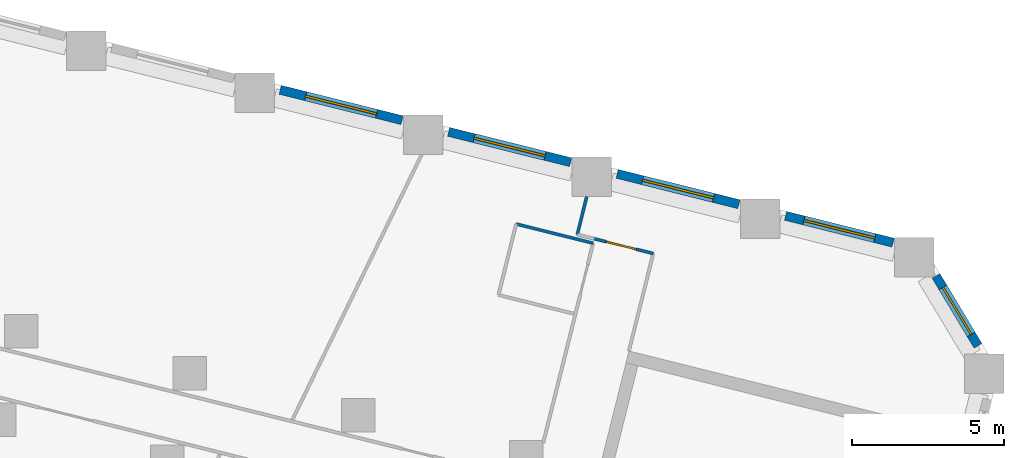
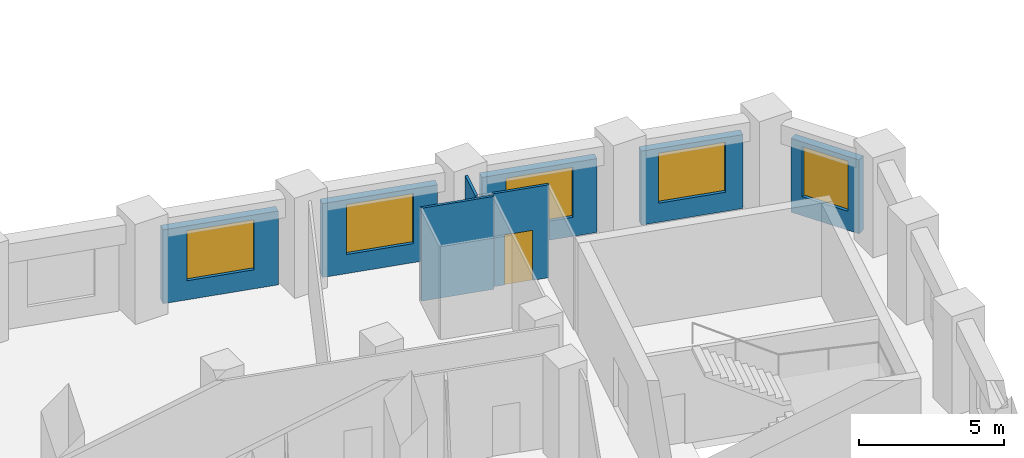
# One storey, part 7 of 11: 8 walls, 5 windows, 1 door, 6 openings.
"""IFC4 building model written with IfcOpenShell, lengths in metres."""

from ifc_helpers import new_model, si_unit, direction, frame, frame_2d, origin, place, context, subcontext, project, spatial, rectangle, extrude, material, layer, layer_set, type_object, element, fill, save


model = new_model("IFC4")

# Units and contexts
model_context = context("Model", 3, precision=1e-05, world=origin(), true_north=direction((0.0, 1.0)))
body_context = subcontext(model_context, "Body", "Model", "MODEL_VIEW")
ifc_project = project(units=[si_unit("LENGTHUNIT", "METRE"), si_unit("AREAUNIT", "SQUARE_METRE"), si_unit("VOLUMEUNIT", "CUBIC_METRE"), si_unit("PLANEANGLEUNIT", "RADIAN"), si_unit("MASSUNIT", "GRAM", prefix="KILO")], contexts=[model_context])

# Site, building, storey
site_placement = place(None, origin())
site = spatial("IfcSite", under=ifc_project, at=site_placement, CompositionType="ELEMENT")
building_placement = place(site_placement, origin())
building = spatial("IfcBuilding", under=site, at=building_placement, Name="Meshkara Civic Tower", CompositionType="ELEMENT")
storey_placement = place(building_placement, frame((0.0, 0.0, 101.39990234375)))
storey = spatial("IfcBuildingStorey", under=building, at=storey_placement, Name="L22", CompositionType="ELEMENT", Elevation=101.39990234375)

# Wall, opening, door
ifc_material_1 = material(Name="Corridor wall 100")
ifc_layer_1 = layer(ifc_material_1, 0.10009765625)
ifc_layer_set_1 = layer_set([ifc_layer_1], Name="Corridor wall 100")
wall_type_1 = type_object("IfcWallType", Name="Corridor wall 100", PredefinedType="PARTITIONING", material=ifc_layer_set_1)
wall_1_placement = place(storey_placement, frame((74.087890625, 2.552001953125, 0.0), z_axis=(0.0, 0.0, 1.0), x_axis=(-0.970271653322, 0.242018426489, 0.0)))
wall_1 = element("IfcWall", 1, at=wall_1_placement, inside=storey, type_object=wall_type_1, Name="L22-W030", PredefinedType="PARTITIONING", context=body_context, shape_type="SweptSolid", body=[
    extrude(rectangle(XDim=1.999267578125, YDim=0.10009765625, at=frame_2d((0.99951171875, 0.0))), origin(), (0.0, 0.0, 1.0), 3.900146484375),
])
opening_1_placement = place(wall_1_placement, frame((0.580078125, 0.0, 0.0)))
opening_1 = element("IfcOpeningElement", 2, at=opening_1_placement, cuts=wall_1, Name="Opening L22-D013", PredefinedType="OPENING", context=body_context, shape_type="SweptSolid", body=[
    extrude(rectangle(XDim=1.0, YDim=2.10009765625, at=frame_2d((0.5, 1.050048828125))), frame((0.0, 0.06005859375, 0.0), z_axis=(0.0, -1.0, 0.0), x_axis=(1.0, 0.0, 0.0)), (0.0, 0.0, 1.0), 0.1201171875),
])
ifc_material_2 = material(Name="Door 1000 x 2100")
door_type = type_object("IfcDoorType", Name="Door 1000 x 2100", OperationType="SINGLE_SWING_LEFT", PredefinedType="DOOR", material=ifc_material_2)
door_placement = place(opening_1_placement, origin())
door = element("IfcDoor", 3, at=door_placement, inside=storey, type_object=door_type, Name="L22-D013", OperationType="SINGLE_SWING_LEFT", OverallHeight=2.10009765625, OverallWidth=1.0, PredefinedType="DOOR", context=body_context, shape_type="SweptSolid", body=[
    extrude(rectangle(XDim=1.0, YDim=2.10009765625, at=frame_2d((0.5, 1.050048828125))), frame((0.0, 0.02490234375, 0.0), z_axis=(0.0, -1.0, 0.0), x_axis=(1.0, 0.0, 0.0)), (0.0, 0.0, 1.0), 0.050048828125),
])
fill(opening_1, door)

# Wall, opening, window
ifc_material_3 = material(Name="Insulated infill panel with bronze anodised aluminium cladding", Category="aluminium")
ifc_layer_2 = layer(ifc_material_3, 0.300048828125)
ifc_layer_set_2 = layer_set([ifc_layer_2], Name="EXTERNAL INFILL WALL 300")
wall_type_2 = type_object("IfcWallType", Name="EXTERNAL INFILL WALL 300", PredefinedType="SOLIDWALL", material=ifc_layer_set_2)
wall_2_placement = place(storey_placement, frame((81.962890625, 2.906982421875, 0.0), z_axis=(0.0, 0.0, 1.0), x_axis=(-0.970248953144, 0.24210941519, 0.0)))
wall_2 = element("IfcWall", 4, at=wall_2_placement, inside=storey, type_object=wall_type_2, Name="External wall", PredefinedType="SOLIDWALL", context=body_context, shape_type="SweptSolid", body=[
    extrude(rectangle(XDim=3.63916015625, YDim=0.300048828125, at=frame_2d((1.819580078125, 0.0))), origin(), (0.0, 0.0, 1.0), 3.10009765625),
])
opening_2_placement = place(wall_2_placement, frame((0.6201171875, 0.0, 0.800048828125)))
opening_2 = element("IfcOpeningElement", 5, at=opening_2_placement, cuts=wall_2, Name="Opening W7", PredefinedType="OPENING", context=body_context, shape_type="SweptSolid", body=[
    extrude(rectangle(XDim=2.39990234375, YDim=2.10009765625, at=frame_2d((1.199951171875, 1.050048828125))), frame((0.0, 0.159912109375, 0.0), z_axis=(0.0, -1.0, 0.0), x_axis=(1.0, 0.0, 0.0)), (0.0, 0.0, 1.0), 0.320068359375),
])
ifc_material_4 = material(Name="Tinted double glazing", Category="glass")
window_type_1 = type_object("IfcWindowType", Name="WINDOW 2400x2100", PartitioningType="DOUBLE_PANEL_VERTICAL", PredefinedType="WINDOW", material=ifc_material_4)
window_1_placement = place(opening_2_placement, origin())
window_1 = element("IfcWindow", 6, at=window_1_placement, inside=storey, type_object=window_type_1, Name="Window", OverallHeight=2.10009765625, OverallWidth=2.39990234375, PartitioningType="DOUBLE_PANEL_VERTICAL", PredefinedType="WINDOW", context=body_context, shape_type="SweptSolid", body=[
    extrude(rectangle(XDim=2.39990234375, YDim=2.10009765625, at=frame_2d((1.199951171875, 1.050048828125))), frame((0.0, 0.030029296875, 0.0), z_axis=(0.0, -1.0, 0.0), x_axis=(1.0, 0.0, 0.0)), (0.0, 0.0, 1.0), 0.06005859375),
])
fill(opening_2, window_1)

wall_3_placement = place(storey_placement, frame((76.903076171875, 4.1689453125, 0.0), z_axis=(0.0, 0.0, 1.0), x_axis=(-0.970267747908, 0.242034083076, 0.0)))
wall_3 = element("IfcWall", 7, at=wall_3_placement, inside=storey, type_object=wall_type_2, Name="External wall", PredefinedType="SOLIDWALL", context=body_context, shape_type="SweptSolid", body=[
    extrude(rectangle(XDim=4.12353515625, YDim=0.300048828125, at=frame_2d((2.061767578125, 0.0))), origin(), (0.0, 0.0, 1.0), 3.10009765625),
])
opening_3_placement = place(wall_3_placement, frame((0.862060546875, 0.0, 0.800048828125)))
opening_3 = element("IfcOpeningElement", 8, at=opening_3_placement, cuts=wall_3, Name="Opening W7", PredefinedType="OPENING", context=body_context, shape_type="SweptSolid", body=[
    extrude(rectangle(XDim=2.39990234375, YDim=2.10009765625, at=frame_2d((1.199951171875, 1.050048828125))), frame((0.0, 0.159912109375, 0.0), z_axis=(0.0, -1.0, 0.0), x_axis=(1.0, 0.0, 0.0)), (0.0, 0.0, 1.0), 0.320068359375),
])
window_2_placement = place(opening_3_placement, origin())
window_2 = element("IfcWindow", 9, at=window_2_placement, inside=storey, type_object=window_type_1, Name="Window", OverallHeight=2.10009765625, OverallWidth=2.39990234375, PartitioningType="DOUBLE_PANEL_VERTICAL", PredefinedType="WINDOW", context=body_context, shape_type="SweptSolid", body=[
    extrude(rectangle(XDim=2.39990234375, YDim=2.10009765625, at=frame_2d((1.199951171875, 1.050048828125))), frame((0.0, 0.030029296875, 0.0), z_axis=(0.0, -1.0, 0.0), x_axis=(1.0, 0.0, 0.0)), (0.0, 0.0, 1.0), 0.06005859375),
])
fill(opening_3, window_2)

wall_4_placement = place(storey_placement, frame((71.373046875, 5.548095703125, 0.0), z_axis=(0.0, 0.0, 1.0), x_axis=(-0.97029551261, 0.241922752565, 0.0)))
wall_4 = element("IfcWall", 10, at=wall_4_placement, inside=storey, type_object=wall_type_2, Name="External wall", PredefinedType="SOLIDWALL", context=body_context, shape_type="SweptSolid", body=[
    extrude(rectangle(XDim=4.12451171875, YDim=0.300048828125, at=frame_2d((2.062255859375, 0.0))), origin(), (0.0, 0.0, 1.0), 3.10009765625),
])
opening_4_placement = place(wall_4_placement, frame((0.862060546875, 0.0, 0.800048828125)))
opening_4 = element("IfcOpeningElement", 11, at=opening_4_placement, cuts=wall_4, Name="Opening W7", PredefinedType="OPENING", context=body_context, shape_type="SweptSolid", body=[
    extrude(rectangle(XDim=2.39990234375, YDim=2.10009765625, at=frame_2d((1.199951171875, 1.050048828125))), frame((0.0, 0.159912109375, 0.0), z_axis=(0.0, -1.0, 0.0), x_axis=(1.0, 0.0, 0.0)), (0.0, 0.0, 1.0), 0.320068359375),
])
window_3_placement = place(opening_4_placement, origin())
window_3 = element("IfcWindow", 12, at=window_3_placement, inside=storey, type_object=window_type_1, Name="Window", OverallHeight=2.10009765625, OverallWidth=2.39990234375, PartitioningType="DOUBLE_PANEL_VERTICAL", PredefinedType="WINDOW", context=body_context, shape_type="SweptSolid", body=[
    extrude(rectangle(XDim=2.39990234375, YDim=2.10009765625, at=frame_2d((1.199951171875, 1.050048828125))), frame((0.0, 0.030029296875, 0.0), z_axis=(0.0, -1.0, 0.0), x_axis=(1.0, 0.0, 0.0)), (0.0, 0.0, 1.0), 0.06005859375),
])
fill(opening_4, window_3)

wall_5_placement = place(storey_placement, frame((65.842041015625, 6.927001953125, 0.0), z_axis=(0.0, 0.0, 1.0), x_axis=(-0.970281616392, 0.241978480223, 0.0)))
wall_5 = element("IfcWall", 13, at=wall_5_placement, inside=storey, type_object=wall_type_2, Name="External wall", PredefinedType="SOLIDWALL", context=body_context, shape_type="SweptSolid", body=[
    extrude(rectangle(XDim=4.12451171875, YDim=0.300048828125, at=frame_2d((2.062255859375, 0.0))), origin(), (0.0, 0.0, 1.0), 3.10009765625),
])
opening_5_placement = place(wall_5_placement, frame((0.862060546875, 0.0, 0.800048828125)))
opening_5 = element("IfcOpeningElement", 14, at=opening_5_placement, cuts=wall_5, Name="Opening W7", PredefinedType="OPENING", context=body_context, shape_type="SweptSolid", body=[
    extrude(rectangle(XDim=2.39990234375, YDim=2.10009765625, at=frame_2d((1.199951171875, 1.050048828125))), frame((0.0, 0.159912109375, 0.0), z_axis=(0.0, -1.0, 0.0), x_axis=(1.0, 0.0, 0.0)), (0.0, 0.0, 1.0), 0.320068359375),
])
window_4_placement = place(opening_5_placement, origin())
window_4 = element("IfcWindow", 15, at=window_4_placement, inside=storey, type_object=window_type_1, Name="Window", OverallHeight=2.10009765625, OverallWidth=2.39990234375, PartitioningType="DOUBLE_PANEL_VERTICAL", PredefinedType="WINDOW", context=body_context, shape_type="SweptSolid", body=[
    extrude(rectangle(XDim=2.39990234375, YDim=2.10009765625, at=frame_2d((1.199951171875, 1.050048828125))), frame((0.0, 0.030029296875, 0.0), z_axis=(0.0, -1.0, 0.0), x_axis=(1.0, 0.0, 0.0)), (0.0, 0.0, 1.0), 0.06005859375),
])
fill(opening_5, window_4)

wall_6_placement = place(storey_placement, frame((84.751953125, -0.48095703125, 0.0), z_axis=(0.0, 0.0, 1.0), x_axis=(-0.515138971391, 0.857106667898, 0.0)))
wall_6 = element("IfcWall", 16, at=wall_6_placement, inside=storey, type_object=wall_type_2, Name="External wall", PredefinedType="SOLIDWALL", context=body_context, shape_type="SweptSolid", body=[
    extrude(rectangle(XDim=2.6787109375, YDim=0.300048828125, at=frame_2d((1.33935546875, 0.0))), origin(), (0.0, 0.0, 1.0), 3.10009765625),
])
opening_6_placement = place(wall_6_placement, frame((0.43896484375, 0.0, 0.800048828125)))
opening_6 = element("IfcOpeningElement", 17, at=opening_6_placement, cuts=wall_6, Name="Opening W9", PredefinedType="OPENING", context=body_context, shape_type="SweptSolid", body=[
    extrude(rectangle(XDim=1.800048828125, YDim=2.10009765625, at=frame_2d((0.89990234375, 1.050048828125))), frame((0.0, 0.159912109375, 0.0), z_axis=(0.0, -1.0, 0.0), x_axis=(1.0, 0.0, 0.0)), (0.0, 0.0, 1.0), 0.320068359375),
])
ifc_material_5 = material(Name="Tinted double glazing", Category="glass")
window_type_2 = type_object("IfcWindowType", Name="WINDOW 1800x2100", PartitioningType="DOUBLE_PANEL_VERTICAL", PredefinedType="WINDOW", material=ifc_material_5)
window_5_placement = place(opening_6_placement, origin())
window_5 = element("IfcWindow", 18, at=window_5_placement, inside=storey, type_object=window_type_2, Name="Window", OverallHeight=2.10009765625, OverallWidth=1.800048828125, PartitioningType="DOUBLE_PANEL_VERTICAL", PredefinedType="WINDOW", context=body_context, shape_type="SweptSolid", body=[
    extrude(rectangle(XDim=1.800048828125, YDim=2.10009765625, at=frame_2d((0.89990234375, 1.050048828125))), frame((0.0, 0.030029296875, 0.0), z_axis=(0.0, -1.0, 0.0), x_axis=(1.0, 0.0, 0.0)), (0.0, 0.0, 1.0), 0.06005859375),
])
fill(opening_6, window_5)

# Walls
ifc_material_6 = material(Name="Partition 100")
ifc_layer_3 = layer(ifc_material_6, 0.10009765625)
ifc_layer_set_3 = layer_set([ifc_layer_3], Name="Partition 100")
wall_type_3 = type_object("IfcWallType", Name="Partition 100", PredefinedType="PARTITIONING", material=ifc_layer_set_3)
wall_7_placement = place(storey_placement, frame((69.589111328125, 3.52001953125, 0.0), z_axis=(0.0, 0.0, 1.0), x_axis=(0.970197700903, -0.242314715118, 0.0)))
element("IfcWall", 19, at=wall_7_placement, inside=storey, type_object=wall_type_3, Name="L22-W054", PredefinedType="PARTITIONING", context=body_context, shape_type="SweptSolid", body=[
    extrude(rectangle(XDim=2.600341796875, YDim=0.10009765625, at=frame_2d((1.30029296875, 0.0))), origin(), (0.0, 0.0, 1.0), 3.900146484375),
])
wall_8_placement = place(storey_placement, frame((71.593017578125, 3.174072265625, 0.0), z_axis=(0.0, 0.0, 1.0), x_axis=(0.242221476086, 0.970220983345, 0.0)))
element("IfcWall", 20, at=wall_8_placement, inside=storey, type_object=wall_type_3, Name="L22-W056", PredefinedType="PARTITIONING", context=body_context, shape_type="SweptSolid", body=[
    extrude(rectangle(XDim=1.280029296875, YDim=0.10009765625, at=frame_2d((0.64013671875, 0.0))), origin(), (0.0, 0.0, 1.0), 3.900146484375),
])

save(model, "model.ifc")
